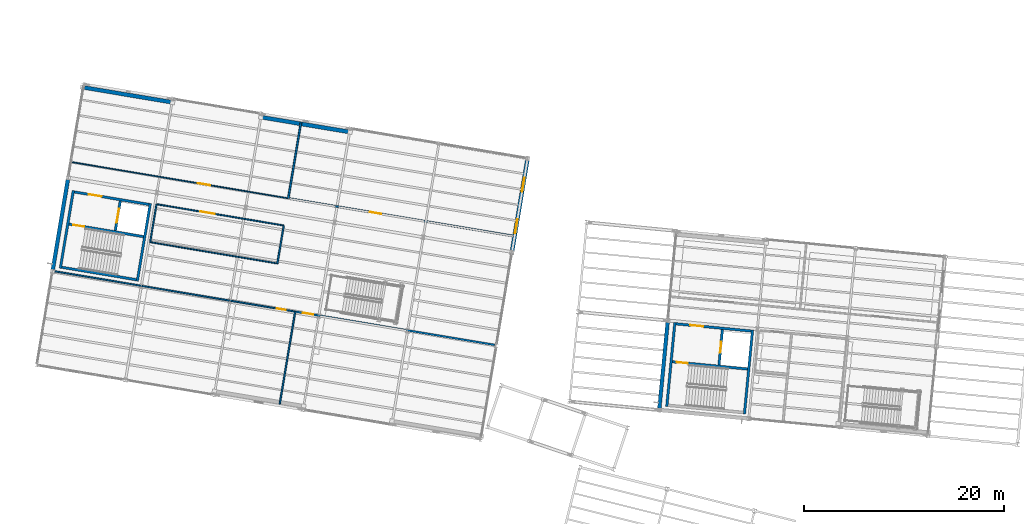
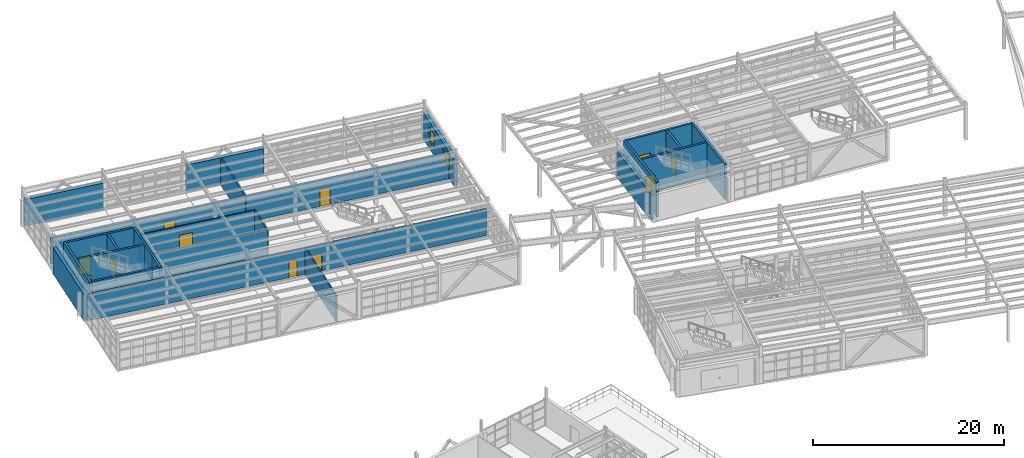
# One storey, part 92 of 109: 26 walls, 11 doors, 2 windows, 13 openings.
"""IFC4 building model written with IfcOpenShell, lengths in metres."""

from ifc_helpers import new_model, si_unit, direction, frame, frame_2d, origin, origin_with_axes, place, context, subcontext, project, spatial, rectangle, extrude, material, layer, layer_set, type_object, element, fill, save


model = new_model("IFC4")

# Units and contexts
model_context = context("Model", 3, precision=1e-05, world=origin(), true_north=direction((0.0, 1.0)))
body_context = subcontext(model_context, "Body", "Model", "MODEL_VIEW")
ifc_project = project(units=[si_unit("LENGTHUNIT", "METRE"), si_unit("AREAUNIT", "SQUARE_METRE"), si_unit("VOLUMEUNIT", "CUBIC_METRE"), si_unit("PLANEANGLEUNIT", "RADIAN"), si_unit("MASSUNIT", "GRAM", prefix="KILO")], contexts=[model_context])

# Site, building, storey
site_placement = place(None, origin())
site = spatial("IfcSite", under=ifc_project, at=site_placement, CompositionType="ELEMENT")
building_placement = place(site_placement, origin())
building = spatial("IfcBuilding", under=site, at=building_placement, Name="Vireo Bluff Cable Station", CompositionType="ELEMENT")
storey_placement = place(building_placement, frame((0.0, 0.0, 4.800048828125)))
storey = spatial("IfcBuildingStorey", under=building, at=storey_placement, Name="L01", CompositionType="ELEMENT", Elevation=4.800048828125)

# Walls
ifc_material_1 = material(Name="Precast concrete f'c 45 MPa", Category="concrete")
ifc_layer_1 = layer(ifc_material_1, 0.3701171875, Name="Precast concrete f'c 45 MPa")
ifc_layer_set_1 = layer_set([ifc_layer_1], Name="Precast concrete f'c 45 MPa")
wall_type_1 = type_object("IfcWallType", Name="EW-PRECAST-370", PredefinedType="SOLIDWALL", material=ifc_layer_set_1)
wall_1_placement = place(storey_placement, frame((67.755615234375, 67.18505859375, 0.0), z_axis=(0.0, 0.0, 1.0), x_axis=(0.095824470523, 0.995398247361, 0.0)))
element("IfcWall", 1, at=wall_1_placement, inside=storey, type_object=wall_type_1, Name="V3 L01 west exterior wall 54", PredefinedType="SOLIDWALL", context=body_context, shape_type="SweptSolid", body=[
    extrude(rectangle(XDim=8.634521484375, YDim=0.3701171875, at=frame_2d((4.3173828125, 0.0))), origin(), (0.0, 0.0, 1.0), 3.39990234375),
])
ifc_layer_2 = layer(ifc_material_1, 0.3798828125, Name="Precast concrete f'c 45 MPa")
ifc_layer_set_2 = layer_set([ifc_layer_2], Name="Precast concrete f'c 45 MPa")
wall_type_2 = type_object("IfcWallType", Name="EW-PRECAST-380", PredefinedType="SOLIDWALL", material=ifc_layer_set_2)
wall_2_placement = place(storey_placement, frame((7.097900390625, 81.04931640625, 0.0), z_axis=(0.0, 0.0, 1.0), x_axis=(0.165070646291, 0.986281745615, 0.0)))
element("IfcWall", 2, at=wall_2_placement, inside=storey, type_object=wall_type_2, Name="V4 L01 west exterior wall 75", PredefinedType="SOLIDWALL", context=body_context, shape_type="SweptSolid", body=[
    extrude(rectangle(XDim=9.1357421875, YDim=0.3798828125, at=frame_2d((4.56787109375, 0.0))), origin(), (0.0, 0.0, 1.0), 3.39990234375),
])
ifc_layer_3 = layer(ifc_material_1, 0.389892578125, Name="Precast concrete f'c 45 MPa")
ifc_layer_set_3 = layer_set([ifc_layer_3], Name="Precast concrete f'c 45 MPa")
wall_type_3 = type_object("IfcWallType", Name="EW-PRECAST-390", PredefinedType="SOLIDWALL", material=ifc_layer_set_3)
wall_3_placement = place(storey_placement, frame((10.250244140625, 99.256591796875, 0.0), z_axis=(0.0, 0.0, 1.0), x_axis=(0.986284554767, -0.165053860991, 0.0)))
element("IfcWall", 3, at=wall_3_placement, inside=storey, type_object=wall_type_3, Name="V4 L01 north exterior wall 76", PredefinedType="SOLIDWALL", context=body_context, shape_type="SweptSolid", body=[
    extrude(rectangle(XDim=8.765380859375, YDim=0.389892578125, at=frame_2d((4.3828125, 0.0))), origin(), (0.0, 0.0, 1.0), 3.39990234375),
])
ifc_layer_4 = layer(ifc_material_1, 0.39990234375, Name="Precast concrete f'c 45 MPa")
ifc_layer_set_4 = layer_set([ifc_layer_4], Name="Precast concrete f'c 45 MPa")
wall_type_4 = type_object("IfcWallType", Name="EW-PRECAST-400", PredefinedType="SOLIDWALL", material=ifc_layer_set_4)
wall_4_placement = place(storey_placement, frame((28.085205078125, 96.27197265625, 0.0), z_axis=(0.0, 0.0, 1.0), x_axis=(0.98628886626, -0.165028095461, 0.0)))
element("IfcWall", 4, at=wall_4_placement, inside=storey, type_object=wall_type_4, Name="V4 L01 north exterior wall 77", PredefinedType="SOLIDWALL", context=body_context, shape_type="SweptSolid", body=[
    extrude(rectangle(XDim=8.68408203125, YDim=0.39990234375, at=frame_2d((4.342041015625, 0.0))), origin(), (0.0, 0.0, 1.0), 3.39990234375),
])

# Wall, openings, windows
ifc_layer_5 = layer(ifc_material_1, 0.409912109375, Name="Precast concrete f'c 45 MPa")
ifc_layer_set_5 = layer_set([ifc_layer_5], Name="Precast concrete f'c 45 MPa")
wall_type_5 = type_object("IfcWallType", Name="EW-PRECAST-410", PredefinedType="SOLIDWALL", material=ifc_layer_set_5)
wall_5_placement = place(storey_placement, frame((54.556640625, 92.00244140625, 0.0), z_axis=(0.0, 0.0, 1.0), x_axis=(-0.165036673146, -0.986287430984, 0.0)))
wall_5 = element("IfcWall", 5, at=wall_5_placement, inside=storey, type_object=wall_type_5, Name="V4 L01 east exterior wall 78", PredefinedType="SOLIDWALL", context=body_context, shape_type="SweptSolid", body=[
    extrude(rectangle(XDim=9.18798828125, YDim=0.409912109375, at=frame_2d((4.593994140625, 0.0))), origin(), (0.0, 0.0, 1.0), 3.39990234375),
])
opening_1_placement = place(wall_5_placement, frame((1.78076171875, 0.0, 0.949951171875)))
opening_1 = element("IfcOpeningElement", 6, at=opening_1_placement, cuts=wall_5, Name="Opening W-08", PredefinedType="OPENING", context=body_context, shape_type="SweptSolid", body=[
    extrude(rectangle(XDim=1.39990234375, YDim=1.75, at=frame_2d((0.699951171875, 0.875))), frame((0.0, 0.21484375, 0.0), z_axis=(0.0, -1.0, 0.0), x_axis=(1.0, 0.0, 0.0)), (0.0, 0.0, 1.0), 0.429931640625),
])
opening_2_placement = place(wall_5_placement, frame((6.007080078125, 0.0, 0.949951171875)))
opening_2 = element("IfcOpeningElement", 7, at=opening_2_placement, cuts=wall_5, Name="Opening W-08", PredefinedType="OPENING", context=body_context, shape_type="SweptSolid", body=[
    extrude(rectangle(XDim=1.39990234375, YDim=1.75, at=frame_2d((0.699951171875, 0.875))), frame((0.0, 0.21484375, 0.0), z_axis=(0.0, -1.0, 0.0), x_axis=(1.0, 0.0, 0.0)), (0.0, 0.0, 1.0), 0.429931640625),
])
ifc_material_2 = material(Name="Laminated Low-E Insulated Glass", Category="glass")
window_type = type_object("IfcWindowType", Name="WIN-1400X1750", PartitioningType="SINGLE_PANEL", PredefinedType="WINDOW", material=ifc_material_2)
window_1_placement = place(opening_1_placement, origin_with_axes())
window_1 = element("IfcWindow", 8, at=window_1_placement, inside=storey, type_object=window_type, Name="V4 L01 east window 7", OverallHeight=1.75, OverallWidth=1.39990234375, PartitioningType="SINGLE_PANEL", PredefinedType="WINDOW", context=body_context, shape_type="SweptSolid", body=[
    extrude(rectangle(XDim=1.39990234375, YDim=1.75, at=frame_2d((0.699951171875, 0.875))), frame((0.0, 0.030029296875, 0.0), z_axis=(0.0, -1.0, 0.0), x_axis=(1.0, 0.0, 0.0)), (0.0, 0.0, 1.0), 0.06005859375),
])
fill(opening_1, window_1)
window_2_placement = place(opening_2_placement, origin_with_axes())
window_2 = element("IfcWindow", 9, at=window_2_placement, inside=storey, type_object=window_type, Name="V4 L01 east window 8", OverallHeight=1.75, OverallWidth=1.39990234375, PartitioningType="SINGLE_PANEL", PredefinedType="WINDOW", context=body_context, shape_type="SweptSolid", body=[
    extrude(rectangle(XDim=1.39990234375, YDim=1.75, at=frame_2d((0.699951171875, 0.875))), frame((0.0, 0.030029296875, 0.0), z_axis=(0.0, -1.0, 0.0), x_axis=(1.0, 0.0, 0.0)), (0.0, 0.0, 1.0), 0.06005859375),
])
fill(opening_2, window_2)

# Wall, opening, door
ifc_material_3 = material(Name="Fire-Rated Gypsum Board Partition")
ifc_layer_6 = layer(ifc_material_3, 0.110107421875, Name="Fire-Rated Gypsum Board Partition")
ifc_layer_set_6 = layer_set([ifc_layer_6], Name="Fire-Rated Gypsum Board Partition")
wall_type_6 = type_object("IfcWallType", Name="PT-1HR-110", PredefinedType="PARTITIONING", material=ifc_layer_set_6)
wall_6_placement = place(storey_placement, frame((30.59814453125, 88.1865234375, 0.0), z_axis=(0.0, 0.0, 1.0), x_axis=(-0.986287016704, 0.165039148936, 0.0)))
wall_6 = element("IfcWall", 10, at=wall_6_placement, inside=storey, type_object=wall_type_6, Name="V4 L01 Hydraulic Test Workshop S partition", PredefinedType="PARTITIONING", context=body_context, shape_type="SweptSolid", body=[
    extrude(rectangle(XDim=21.829833984375, YDim=0.110107421875, at=frame_2d((10.9150390625, 0.0))), origin(), (0.0, 0.0, 1.0), 3.3798828125),
])
opening_3_placement = place(wall_6_placement, frame((7.890380859375, 0.0, 0.0)))
opening_3 = element("IfcOpeningElement", 11, at=opening_3_placement, cuts=wall_6, Name="Opening D-0093", PredefinedType="OPENING", context=body_context, shape_type="SweptSolid", body=[
    extrude(rectangle(XDim=1.219970703125, YDim=2.199951171875, at=frame_2d((0.60986328125, 1.10009765625))), frame((0.0, 0.06494140625, 0.0), z_axis=(0.0, -1.0, 0.0), x_axis=(1.0, 0.0, 0.0)), (0.0, 0.0, 1.0), 0.130126953125),
])
ifc_material_4 = material(Name="Anodized Aluminium 6063-T6", Category="aluminium")
door_type_1 = type_object("IfcDoorType", Name="IDOOR60-1220X2200", OperationType="NOTDEFINED", PredefinedType="DOOR", material=ifc_material_4)
door_1_placement = place(opening_3_placement, origin_with_axes())
door_1 = element("IfcDoor", 12, at=door_1_placement, inside=storey, type_object=door_type_1, Name="V4 L01 Hydraulic Test Workshop door D-0093", OperationType="SINGLE_SWING_RIGHT", OverallHeight=2.199951171875, OverallWidth=1.219970703125, PredefinedType="DOOR", context=body_context, shape_type="SweptSolid", body=[
    extrude(rectangle(XDim=1.219970703125, YDim=2.199951171875, at=frame_2d((0.60986328125, 1.10009765625))), frame((0.0, 0.02490234375, 0.0), z_axis=(0.0, -1.0, 0.0), x_axis=(1.0, 0.0, 0.0)), (0.0, 0.0, 1.0), 0.050048828125),
])
fill(opening_3, door_1)

# Wall
ifc_layer_7 = layer(ifc_material_3, 0.1201171875, Name="Fire-Rated Gypsum Board Partition")
ifc_layer_set_7 = layer_set([ifc_layer_7], Name="Fire-Rated Gypsum Board Partition")
wall_type_7 = type_object("IfcWallType", Name="PT-1HR-120", PredefinedType="PARTITIONING", material=ifc_layer_set_7)
wall_7_placement = place(storey_placement, frame((29.558349609375, 81.668701171875, 0.0), z_axis=(0.0, 0.0, 1.0), x_axis=(-0.986285271059, 0.165049580706, 0.0)))
element("IfcWall", 13, at=wall_7_placement, inside=storey, type_object=wall_type_7, Name="V4 L01 Electrical Avionics Bench S partition", PredefinedType="PARTITIONING", context=body_context, shape_type="SweptSolid", body=[
    extrude(rectangle(XDim=12.900146484375, YDim=0.1201171875, at=frame_2d((6.4501953125, 0.0))), origin(), (0.0, 0.0, 1.0), 3.3798828125),
])

# Wall, opening, door
ifc_layer_8 = layer(ifc_material_3, 0.1298828125, Name="Fire-Rated Gypsum Board Partition")
ifc_layer_set_8 = layer_set([ifc_layer_8], Name="Fire-Rated Gypsum Board Partition")
wall_type_8 = type_object("IfcWallType", Name="PT-1HR-130", PredefinedType="PARTITIONING", material=ifc_layer_set_8)
wall_8_placement = place(storey_placement, frame((17.470703125, 87.594970703125, 0.0), z_axis=(0.0, 0.0, 1.0), x_axis=(0.986284755488, -0.165052661574, 0.0)))
wall_8 = element("IfcWall", 14, at=wall_8_placement, inside=storey, type_object=wall_type_8, Name="V4 L01 Electrical Avionics Bench N partition", PredefinedType="PARTITIONING", context=body_context, shape_type="SweptSolid", body=[
    extrude(rectangle(XDim=12.89990234375, YDim=0.1298828125, at=frame_2d((6.449951171875, 0.0))), origin(), (0.0, 0.0, 1.0), 3.3798828125),
])
opening_4_placement = place(wall_8_placement, frame((4.462890625, 0.0, 0.0)))
opening_4 = element("IfcOpeningElement", 15, at=opening_4_placement, cuts=wall_8, Name="Opening D-0094", PredefinedType="OPENING", context=body_context, shape_type="SweptSolid", body=[
    extrude(rectangle(XDim=1.43994140625, YDim=2.219970703125, at=frame_2d((0.719970703125, 1.10986328125))), frame((0.0, 0.074951171875, 0.0), z_axis=(0.0, -1.0, 0.0), x_axis=(1.0, 0.0, 0.0)), (0.0, 0.0, 1.0), 0.14990234375),
])
door_type_2 = type_object("IfcDoorType", Name="IDOOR60-1440X2220", OperationType="NOTDEFINED", PredefinedType="DOOR", material=ifc_material_4)
door_2_placement = place(opening_4_placement, origin_with_axes())
door_2 = element("IfcDoor", 16, at=door_2_placement, inside=storey, type_object=door_type_2, Name="V4 L01 Electrical Avionics Bench door D-0094", OperationType="SINGLE_SWING_LEFT", OverallHeight=2.219970703125, OverallWidth=1.43994140625, PredefinedType="DOOR", context=body_context, shape_type="SweptSolid", body=[
    extrude(rectangle(XDim=1.43994140625, YDim=2.219970703125, at=frame_2d((0.719970703125, 1.10986328125))), frame((0.0, 0.02490234375, 0.0), z_axis=(0.0, -1.0, 0.0), x_axis=(1.0, 0.0, 0.0)), (0.0, 0.0, 1.0), 0.050048828125),
])
fill(opening_4, door_2)

ifc_layer_9 = layer(ifc_material_3, 0.139892578125, Name="Fire-Rated Gypsum Board Partition")
ifc_layer_set_9 = layer_set([ifc_layer_9], Name="Fire-Rated Gypsum Board Partition")
wall_type_9 = type_object("IfcWallType", Name="PT-1HR-140", PredefinedType="PARTITIONING", material=ifc_layer_set_9)
wall_9_placement = place(storey_placement, frame((7.243896484375, 80.890869140625, 0.0), z_axis=(0.0, 0.0, 1.0), x_axis=(0.986286486683, -0.16504231635, 0.0)))
wall_9 = element("IfcWall", 17, at=wall_9_placement, inside=storey, type_object=wall_type_9, Name="V4 L01 Cabin Overhaul Bay N partition", PredefinedType="PARTITIONING", context=body_context, shape_type="SweptSolid", body=[
    extrude(rectangle(XDim=24.429931640625, YDim=0.139892578125, at=frame_2d((12.21484375, 0.0))), origin(), (0.0, 0.0, 1.0), 3.3798828125),
])
opening_5_placement = place(wall_9_placement, frame((22.583984375, 0.0, 0.0)))
opening_5 = element("IfcOpeningElement", 18, at=opening_5_placement, cuts=wall_9, Name="Opening D-0090", PredefinedType="OPENING", context=body_context, shape_type="SweptSolid", body=[
    extrude(rectangle(XDim=0.89990234375, YDim=2.10009765625, at=frame_2d((0.449951171875, 1.050048828125))), frame((0.0, 0.080078125, 0.0), z_axis=(0.0, -1.0, 0.0), x_axis=(1.0, 0.0, 0.0)), (0.0, 0.0, 1.0), 0.159912109375),
])
door_type_3 = type_object("IfcDoorType", Name="IDOOR60-900X2100", OperationType="NOTDEFINED", PredefinedType="DOOR", material=ifc_material_4)
door_3_placement = place(opening_5_placement, origin_with_axes())
door_3 = element("IfcDoor", 19, at=door_3_placement, inside=storey, type_object=door_type_3, Name="V4 L01 Cabin Overhaul Bay door D-0090", OperationType="SINGLE_SWING_LEFT", OverallHeight=2.10009765625, OverallWidth=0.89990234375, PredefinedType="DOOR", context=body_context, shape_type="SweptSolid", body=[
    extrude(rectangle(XDim=0.89990234375, YDim=2.10009765625, at=frame_2d((0.449951171875, 1.050048828125))), frame((0.0, 0.02490234375, 0.0), z_axis=(0.0, -1.0, 0.0), x_axis=(1.0, 0.0, 0.0)), (0.0, 0.0, 1.0), 0.050048828125),
])
fill(opening_5, door_3)

# Walls
wall_10_placement = place(storey_placement, frame((16.835205078125, 83.7978515625, 0.0), z_axis=(0.0, 0.0, 1.0), x_axis=(0.165067370347, 0.986282293893, 0.0)))
element("IfcWall", 20, at=wall_10_placement, inside=storey, type_object=wall_type_9, Name="V4 L01 Electrical Avionics Bench W partition", PredefinedType="PARTITIONING", context=body_context, shape_type="SweptSolid", body=[
    extrude(rectangle(XDim=3.849853515625, YDim=0.139892578125, at=frame_2d((1.9248046875, 0.0))), origin(), (0.0, 0.0, 1.0), 3.3798828125),
])
ifc_layer_10 = layer(ifc_material_3, 0.14990234375, Name="Fire-Rated Gypsum Board Partition")
ifc_layer_set_10 = layer_set([ifc_layer_10], Name="Fire-Rated Gypsum Board Partition")
wall_type_10 = type_object("IfcWallType", Name="PT-1HR-150", PredefinedType="PARTITIONING", material=ifc_layer_set_10)
wall_11_placement = place(storey_placement, frame((31.3388671875, 76.85888671875, 0.0), z_axis=(0.0, 0.0, 1.0), x_axis=(-0.165040495696, -0.986286791344, 0.0)))
element("IfcWall", 21, at=wall_11_placement, inside=storey, type_object=wall_type_10, Name="V4 L01 Cabin Overhaul Bay E partition", PredefinedType="PARTITIONING", context=body_context, shape_type="SweptSolid", body=[
    extrude(rectangle(XDim=9.380126953125, YDim=0.14990234375, at=frame_2d((4.68994140625, 0.0))), origin(), (0.0, 0.0, 1.0), 3.3798828125),
])
wall_12_placement = place(storey_placement, frame((30.193603515625, 85.4658203125, 0.0), z_axis=(0.0, 0.0, 1.0), x_axis=(-0.165005682962, -0.986292616108, 0.0)))
element("IfcWall", 22, at=wall_12_placement, inside=storey, type_object=wall_type_10, Name="V4 L01 Electrical Avionics Bench E partition", PredefinedType="PARTITIONING", context=body_context, shape_type="SweptSolid", body=[
    extrude(rectangle(XDim=3.849853515625, YDim=0.14990234375, at=frame_2d((1.9248046875, 0.0))), origin(), (0.0, 0.0, 1.0), 3.3798828125),
])

# Wall, opening, door
ifc_layer_11 = layer(ifc_material_3, 0.1650390625, Name="Fire-Rated Gypsum Board Partition")
ifc_layer_set_11 = layer_set([ifc_layer_11], Name="Fire-Rated Gypsum Board Partition")
wall_type_11 = type_object("IfcWallType", Name="PT-1HR-165", PredefinedType="PARTITIONING", material=ifc_layer_set_11)
wall_13_placement = place(storey_placement, frame((53.115234375, 84.41845703125, 0.0), z_axis=(0.0, 0.0, 1.0), x_axis=(-0.986285960274, 0.165045462123, 0.0)))
wall_13 = element("IfcWall", 23, at=wall_13_placement, inside=storey, type_object=wall_type_11, Name="V4 L01 Mountain-Sports Ski Tuning Shop S partition", PredefinedType="PARTITIONING", context=body_context, shape_type="SweptSolid", body=[
    extrude(rectangle(XDim=22.7802734375, YDim=0.1650390625, at=frame_2d((11.39013671875, 0.0))), origin(), (0.0, 0.0, 1.0), 3.3798828125),
])
opening_6_placement = place(wall_13_placement, frame((13.37060546875, 0.0, 0.0)))
opening_6 = element("IfcOpeningElement", 24, at=opening_6_placement, cuts=wall_13, Name="Opening D-0091", PredefinedType="OPENING", context=body_context, shape_type="SweptSolid", body=[
    extrude(rectangle(XDim=1.1201171875, YDim=2.179931640625, at=frame_2d((0.56005859375, 1.08984375))), frame((0.0, 0.092529296875, 0.0), z_axis=(0.0, -1.0, 0.0), x_axis=(1.0, 0.0, 0.0)), (0.0, 0.0, 1.0), 0.18505859375),
])
door_type_4 = type_object("IfcDoorType", Name="IDOOR60-1120X2180", OperationType="NOTDEFINED", PredefinedType="DOOR", material=ifc_material_4)
door_4_placement = place(opening_6_placement, origin_with_axes())
door_4 = element("IfcDoor", 25, at=door_4_placement, inside=storey, type_object=door_type_4, Name="V4 L01 Mountain-Sports Ski Tuning Shop door D-0091", OperationType="SINGLE_SWING_RIGHT", OverallHeight=2.179931640625, OverallWidth=1.1201171875, PredefinedType="DOOR", context=body_context, shape_type="SweptSolid", body=[
    extrude(rectangle(XDim=1.1201171875, YDim=2.179931640625, at=frame_2d((0.56005859375, 1.08984375))), frame((0.0, 0.02490234375, 0.0), z_axis=(0.0, -1.0, 0.0), x_axis=(1.0, 0.0, 0.0)), (0.0, 0.0, 1.0), 0.050048828125),
])
fill(opening_6, door_4)

# Wall
ifc_layer_12 = layer(ifc_material_3, 0.175048828125, Name="Fire-Rated Gypsum Board Partition")
ifc_layer_set_12 = layer_set([ifc_layer_12], Name="Fire-Rated Gypsum Board Partition")
wall_type_12 = type_object("IfcWallType", Name="PT-1HR-175", PredefinedType="PARTITIONING", material=ifc_layer_set_12)
wall_14_placement = place(storey_placement, frame((30.6474609375, 88.17822265625, 0.0), z_axis=(0.0, 0.0, 1.0), x_axis=(0.165054518639, 0.98628444471, 0.0)))
element("IfcWall", 26, at=wall_14_placement, inside=storey, type_object=wall_type_12, Name="V4 L01 Mountain-Sports Ski Tuning Shop W partition", PredefinedType="PARTITIONING", context=body_context, shape_type="SweptSolid", body=[
    extrude(rectangle(XDim=7.72998046875, YDim=0.175048828125, at=frame_2d((3.864990234375, 0.0))), origin(), (0.0, 0.0, 1.0), 3.3798828125),
])

# Wall, opening, door
ifc_layer_13 = layer(ifc_material_3, 0.18994140625, Name="Fire-Rated Gypsum Board Partition")
ifc_layer_set_13 = layer_set([ifc_layer_13], Name="Fire-Rated Gypsum Board Partition")
wall_type_13 = type_object("IfcWallType", Name="PT-1HR-190", PredefinedType="PARTITIONING", material=ifc_layer_set_13)
wall_15_placement = place(storey_placement, frame((31.38818359375, 76.8505859375, 0.0), z_axis=(0.0, 0.0, 1.0), x_axis=(0.986286465811, -0.16504244108, 0.0)))
wall_15 = element("IfcWall", 27, at=wall_15_placement, inside=storey, type_object=wall_type_13, Name="V4 L01 Grip and Bogie Maintenance Workshop N partition", PredefinedType="PARTITIONING", context=body_context, shape_type="SweptSolid", body=[
    extrude(rectangle(XDim=20.18017578125, YDim=0.18994140625, at=frame_2d((10.090087890625, 0.0))), origin(), (0.0, 0.0, 1.0), 3.3798828125),
])
opening_7_placement = place(wall_15_placement, frame((0.716064453125, 0.0, 0.0)))
opening_7 = element("IfcOpeningElement", 28, at=opening_7_placement, cuts=wall_15, Name="Opening D-0092", PredefinedType="OPENING", context=body_context, shape_type="SweptSolid", body=[
    extrude(rectangle(XDim=1.050048828125, YDim=2.199951171875, at=frame_2d((0.52490234375, 1.10009765625))), frame((0.0, 0.10498046875, 0.0), z_axis=(0.0, -1.0, 0.0), x_axis=(1.0, 0.0, 0.0)), (0.0, 0.0, 1.0), 0.2099609375),
])
door_type_5 = type_object("IfcDoorType", Name="IDOOR60-1050X2200", OperationType="NOTDEFINED", PredefinedType="DOOR", material=ifc_material_4)
door_5_placement = place(opening_7_placement, origin_with_axes())
door_5 = element("IfcDoor", 29, at=door_5_placement, inside=storey, type_object=door_type_5, Name="V4 L01 Grip and Bogie Maintenance Workshop door D-0092", OperationType="SINGLE_SWING_LEFT", OverallHeight=2.199951171875, OverallWidth=1.050048828125, PredefinedType="DOOR", context=body_context, shape_type="SweptSolid", body=[
    extrude(rectangle(XDim=1.050048828125, YDim=2.199951171875, at=frame_2d((0.52490234375, 1.10009765625))), frame((0.0, 0.02490234375, 0.0), z_axis=(0.0, -1.0, 0.0), x_axis=(1.0, 0.0, 0.0)), (0.0, 0.0, 1.0), 0.050048828125),
])
fill(opening_7, door_5)

# Walls
ifc_material_5 = material(Name="Concrete f'c 40 MPa", Category="concrete")
ifc_layer_14 = layer(ifc_material_5, 0.25, Name="Concrete f'c 40 MPa")
ifc_layer_set_14 = layer_set([ifc_layer_14], Name="Concrete f'c 40 MPa")
wall_type_14 = type_object("IfcWallType", Name="SW-CORE-250", PredefinedType="SHEAR", material=ifc_layer_set_14)
for number, where, z_axis, x_axis, name in (
    (30, (68.501953125, 67.372314453125, 0.0), (0.0, 0.0, 1.0), (0.095832083117, 0.995397514486, 0.0), "CORE-1 L01 core W shear wall"),
    (31, (76.26611328125, 66.624755859375, 0.0), (0.0, 0.0, 1.0), (0.095832083117, 0.995397514486, 0.0), "CORE-1 L01 core E shear wall"),
):
    element("IfcWall", number, at=place(storey_placement, frame(where, z_axis=z_axis, x_axis=x_axis)), inside=storey, type_object=wall_type_14, Name=name, PredefinedType="SHEAR", context=body_context, shape_type="SweptSolid", body=[
        extrude(rectangle(XDim=8.43505859375, YDim=0.25, at=frame_2d((4.217529296875, 0.0))), origin(), (0.0, 0.0, 1.0), 4.5400390625),
    ])

# Wall, opening, door
wall_16_placement = place(storey_placement, frame((76.572509765625, 71.111083984375, 0.0), z_axis=(0.0, 0.0, 1.0), x_axis=(-0.995396401267, 0.095843645303, 0.0)))
wall_16 = element("IfcWall", 32, at=wall_16_placement, inside=storey, type_object=wall_type_14, Name="CORE-1 L01 stair shaft north shear wall", PredefinedType="SHEAR", context=body_context, shape_type="SweptSolid", body=[
    extrude(rectangle(XDim=7.550048828125, YDim=0.25, at=frame_2d((3.77490234375, 0.0))), origin(), (0.0, 0.0, 1.0), 4.5400390625),
])
opening_8_placement = place(wall_16_placement, frame((6.0, 0.0, 0.0)))
opening_8 = element("IfcOpeningElement", 33, at=opening_8_placement, cuts=wall_16, Name="Opening SD-003", PredefinedType="OPENING", context=body_context, shape_type="SweptSolid", body=[
    extrude(rectangle(XDim=1.10009765625, YDim=2.14990234375, at=frame_2d((0.550048828125, 1.074951171875))), frame((0.0, 0.135009765625, 0.0), z_axis=(0.0, -1.0, 0.0), x_axis=(1.0, 0.0, 0.0)), (0.0, 0.0, 1.0), 0.27001953125),
])
ifc_material_6 = material(Name="Stainless Steel 316", Category="steel")
door_type_6 = type_object("IfcDoorType", Name="IDOOR90-1100X2150", OperationType="NOTDEFINED", PredefinedType="DOOR", material=ifc_material_6)
door_6_placement = place(opening_8_placement, origin_with_axes())
door_6 = element("IfcDoor", 34, at=door_6_placement, inside=storey, type_object=door_type_6, Name="CORE-1 L01 stair fire door SD-003", OperationType="SINGLE_SWING_RIGHT", OverallHeight=2.14990234375, OverallWidth=1.10009765625, PredefinedType="DOOR", context=body_context, shape_type="SweptSolid", body=[
    extrude(rectangle(XDim=1.10009765625, YDim=2.14990234375, at=frame_2d((0.550048828125, 1.074951171875))), frame((0.0, 0.02490234375, 0.0), z_axis=(0.0, -1.0, 0.0), x_axis=(1.0, 0.0, 0.0)), (0.0, 0.0, 1.0), 0.050048828125),
])
fill(opening_8, door_6)

wall_17_placement = place(storey_placement, frame((76.93798828125, 74.908447265625, 0.0), z_axis=(0.0, 0.0, 1.0), x_axis=(-0.995396104215, 0.095846730326, 0.0)))
wall_17 = element("IfcWall", 35, at=wall_17_placement, inside=storey, type_object=wall_type_14, Name="CORE-1 L01 core north shear wall", PredefinedType="SHEAR", context=body_context, shape_type="SweptSolid", body=[
    extrude(rectangle(XDim=7.5498046875, YDim=0.25, at=frame_2d((3.77490234375, 0.0))), origin(), (0.0, 0.0, 1.0), 4.5400390625),
])
opening_9_placement = place(wall_17_placement, frame((4.800048828125, 0.0, 0.0)))
opening_9 = element("IfcOpeningElement", 36, at=opening_9_placement, cuts=wall_17, Name="Opening FD-004", PredefinedType="OPENING", context=body_context, shape_type="SweptSolid", body=[
    extrude(rectangle(XDim=1.300048828125, YDim=2.14990234375, at=frame_2d((0.64990234375, 1.074951171875))), frame((0.0, 0.135009765625, 0.0), z_axis=(0.0, -1.0, 0.0), x_axis=(1.0, 0.0, 0.0)), (0.0, 0.0, 1.0), 0.27001953125),
])
door_type_7 = type_object("IfcDoorType", Name="IDOOR90-1300X2150", OperationType="NOTDEFINED", PredefinedType="DOOR", material=ifc_material_6)
door_7_placement = place(opening_9_placement, origin_with_axes())
door_7 = element("IfcDoor", 37, at=door_7_placement, inside=storey, type_object=door_type_7, Name="CORE-1 L01 firefighting lobby door FD-004", OperationType="SINGLE_SWING_LEFT", OverallHeight=2.14990234375, OverallWidth=1.300048828125, PredefinedType="DOOR", context=body_context, shape_type="SweptSolid", body=[
    extrude(rectangle(XDim=1.300048828125, YDim=2.14990234375, at=frame_2d((0.64990234375, 1.074951171875))), frame((0.0, 0.02490234375, 0.0), z_axis=(0.0, -1.0, 0.0), x_axis=(1.0, 0.0, 0.0)), (0.0, 0.0, 1.0), 0.050048828125),
])
fill(opening_9, door_7)

wall_18_placement = place(storey_placement, frame((73.72265625, 71.510986328125, 0.0), z_axis=(0.0, 0.0, 1.0), x_axis=(0.095807665029, 0.99539986504, 0.0)))
wall_18 = element("IfcWall", 38, at=wall_18_placement, inside=storey, type_object=wall_type_14, Name="CORE-1 L01 lift shaft front wall", PredefinedType="SHEAR", context=body_context, shape_type="SweptSolid", body=[
    extrude(rectangle(XDim=3.56494140625, YDim=0.25, at=frame_2d((1.782470703125, 0.0))), origin(), (0.0, 0.0, 1.0), 4.5400390625),
])
opening_10_placement = place(wall_18_placement, frame((1.232421875, 0.0, 0.0)))
opening_10 = element("IfcOpeningElement", 39, at=opening_10_placement, cuts=wall_18, Name="Opening LD-002", PredefinedType="OPENING", context=body_context, shape_type="SweptSolid", body=[
    extrude(rectangle(XDim=1.10009765625, YDim=2.14990234375, at=frame_2d((0.550048828125, 1.074951171875))), frame((0.0, 0.135009765625, 0.0), z_axis=(0.0, -1.0, 0.0), x_axis=(1.0, 0.0, 0.0)), (0.0, 0.0, 1.0), 0.27001953125),
])
door_type_8 = type_object("IfcDoorType", Name="LIFTDOOR-1100X2150", OperationType="DOUBLE_DOOR_SLIDING", PredefinedType="DOOR", material=ifc_material_6)
door_8_placement = place(opening_10_placement, origin_with_axes())
door_8 = element("IfcDoor", 40, at=door_8_placement, inside=storey, type_object=door_type_8, Name="CORE-1 L01 lift sliding landing door LD-002", OperationType="DOUBLE_DOOR_SLIDING", OverallHeight=2.14990234375, OverallWidth=1.10009765625, PredefinedType="DOOR", context=body_context, shape_type="SweptSolid", body=[
    extrude(rectangle(XDim=1.10009765625, YDim=2.14990234375, at=frame_2d((0.550048828125, 1.074951171875))), frame((0.0, 0.02490234375, 0.0), z_axis=(0.0, -1.0, 0.0), x_axis=(1.0, 0.0, 0.0)), (0.0, 0.0, 1.0), 0.050048828125),
])
fill(opening_10, door_8)

# Walls
for number, where, z_axis, x_axis, name in (
    (41, (7.855712890625, 81.18408203125, 0.0), (0.0, 0.0, 1.0), (0.165031598329, 0.986288280146, 0.0), "CORE-3 L01 core W shear wall"),
    (42, (15.548583984375, 79.896728515625, 0.0), (0.0, 0.0, 1.0), (0.16506171759, 0.98628323994, 0.0), "CORE-3 L01 core E shear wall"),
):
    element("IfcWall", number, at=place(storey_placement, frame(where, z_axis=z_axis, x_axis=x_axis)), inside=storey, type_object=wall_type_14, Name=name, PredefinedType="SHEAR", context=body_context, shape_type="SweptSolid", body=[
        extrude(rectangle(XDim=7.885009765625, YDim=0.25, at=frame_2d((3.9423828125, 0.0))), origin(), (0.0, 0.0, 1.0), 4.5400390625),
    ])
wall_19_placement = place(storey_placement, frame((7.99951171875, 81.28662109375, 0.0), z_axis=(0.0, 0.0, 1.0), x_axis=(0.986286216974, -0.165043928115, 0.0)))
element("IfcWall", 43, at=wall_19_placement, inside=storey, type_object=wall_type_14, Name="CORE-3 L01 stair shaft south shear wall", PredefinedType="SHEAR", context=body_context, shape_type="SweptSolid", body=[
    extrude(rectangle(XDim=7.550048828125, YDim=0.25, at=frame_2d((3.77490234375, 0.0))), origin(), (0.0, 0.0, 1.0), 4.5400390625),
])

# Wall, opening, door
wall_20_placement = place(storey_placement, frame((16.167236328125, 84.3505859375, 0.0), z_axis=(0.0, 0.0, 1.0), x_axis=(-0.986286216974, 0.165043928115, 0.0)))
wall_20 = element("IfcWall", 44, at=wall_20_placement, inside=storey, type_object=wall_type_14, Name="CORE-3 L01 stair shaft north shear wall", PredefinedType="SHEAR", context=body_context, shape_type="SweptSolid", body=[
    extrude(rectangle(XDim=7.550048828125, YDim=0.25, at=frame_2d((3.77490234375, 0.0))), origin(), (0.0, 0.0, 1.0), 4.5400390625),
])
opening_11_placement = place(wall_20_placement, frame((6.0, 0.0, 0.0)))
opening_11 = element("IfcOpeningElement", 45, at=opening_11_placement, cuts=wall_20, Name="Opening SD-019", PredefinedType="OPENING", context=body_context, shape_type="SweptSolid", body=[
    extrude(rectangle(XDim=1.10009765625, YDim=2.14990234375, at=frame_2d((0.550048828125, 1.074951171875))), frame((0.0, 0.135009765625, 0.0), z_axis=(0.0, -1.0, 0.0), x_axis=(1.0, 0.0, 0.0)), (0.0, 0.0, 1.0), 0.27001953125),
])
door_9_placement = place(opening_11_placement, origin_with_axes())
door_9 = element("IfcDoor", 46, at=door_9_placement, inside=storey, type_object=door_type_6, Name="CORE-3 L01 stair fire door SD-019", OperationType="SINGLE_SWING_RIGHT", OverallHeight=2.14990234375, OverallWidth=1.10009765625, PredefinedType="DOOR", context=body_context, shape_type="SweptSolid", body=[
    extrude(rectangle(XDim=1.10009765625, YDim=2.14990234375, at=frame_2d((0.550048828125, 1.074951171875))), frame((0.0, 0.02490234375, 0.0), z_axis=(0.0, -1.0, 0.0), x_axis=(1.0, 0.0, 0.0)), (0.0, 0.0, 1.0), 0.050048828125),
])
fill(opening_11, door_9)

wall_21_placement = place(storey_placement, frame((16.7060546875, 87.57080078125, 0.0), z_axis=(0.0, 0.0, 1.0), x_axis=(-0.98628533611, 0.165049191984, 0.0)))
wall_21 = element("IfcWall", 47, at=wall_21_placement, inside=storey, type_object=wall_type_14, Name="CORE-3 L01 core north shear wall", PredefinedType="SHEAR", context=body_context, shape_type="SweptSolid", body=[
    extrude(rectangle(XDim=7.5498046875, YDim=0.25, at=frame_2d((3.77490234375, 0.0))), origin(), (0.0, 0.0, 1.0), 4.5400390625),
])
opening_12_placement = place(wall_21_placement, frame((4.800048828125, 0.0, 0.0)))
opening_12 = element("IfcOpeningElement", 48, at=opening_12_placement, cuts=wall_21, Name="Opening FD-020", PredefinedType="OPENING", context=body_context, shape_type="SweptSolid", body=[
    extrude(rectangle(XDim=1.300048828125, YDim=2.14990234375, at=frame_2d((0.64990234375, 1.074951171875))), frame((0.0, 0.135009765625, 0.0), z_axis=(0.0, -1.0, 0.0), x_axis=(1.0, 0.0, 0.0)), (0.0, 0.0, 1.0), 0.27001953125),
])
door_10_placement = place(opening_12_placement, origin_with_axes())
door_10 = element("IfcDoor", 49, at=door_10_placement, inside=storey, type_object=door_type_7, Name="CORE-3 L01 firefighting lobby door FD-020", OperationType="SINGLE_SWING_LEFT", OverallHeight=2.14990234375, OverallWidth=1.300048828125, PredefinedType="DOOR", context=body_context, shape_type="SweptSolid", body=[
    extrude(rectangle(XDim=1.300048828125, YDim=2.14990234375, at=frame_2d((0.64990234375, 1.074951171875))), frame((0.0, 0.02490234375, 0.0), z_axis=(0.0, -1.0, 0.0), x_axis=(1.0, 0.0, 0.0)), (0.0, 0.0, 1.0), 0.050048828125),
])
fill(opening_12, door_10)

wall_22_placement = place(storey_placement, frame((13.352294921875, 84.948486328125, 0.0), z_axis=(0.0, 0.0, 1.0), x_axis=(0.165029254052, 0.986288672401, 0.0)))
wall_22 = element("IfcWall", 50, at=wall_22_placement, inside=storey, type_object=wall_type_14, Name="CORE-3 L01 lift shaft front wall", PredefinedType="SHEAR", context=body_context, shape_type="SweptSolid", body=[
    extrude(rectangle(XDim=3.014892578125, YDim=0.25, at=frame_2d((1.50732421875, 0.0))), origin(), (0.0, 0.0, 1.0), 4.5400390625),
])
opening_13_placement = place(wall_22_placement, frame((0.8076171875, 0.0, 0.0)))
opening_13 = element("IfcOpeningElement", 51, at=opening_13_placement, cuts=wall_22, Name="Opening LD-010", PredefinedType="OPENING", context=body_context, shape_type="SweptSolid", body=[
    extrude(rectangle(XDim=1.39990234375, YDim=2.14990234375, at=frame_2d((0.699951171875, 1.074951171875))), frame((0.0, 0.135009765625, 0.0), z_axis=(0.0, -1.0, 0.0), x_axis=(1.0, 0.0, 0.0)), (0.0, 0.0, 1.0), 0.27001953125),
])
door_type_9 = type_object("IfcDoorType", Name="LIFTDOOR-1400X2200", OperationType="DOUBLE_DOOR_SLIDING", PredefinedType="DOOR", material=ifc_material_6)
door_11_placement = place(opening_13_placement, origin_with_axes())
door_11 = element("IfcDoor", 52, at=door_11_placement, inside=storey, type_object=door_type_9, Name="CORE-3 L01 lift sliding landing door LD-010", OperationType="DOUBLE_DOOR_SLIDING", OverallHeight=2.14990234375, OverallWidth=1.39990234375, PredefinedType="DOOR", context=body_context, shape_type="SweptSolid", body=[
    extrude(rectangle(XDim=1.39990234375, YDim=2.14990234375, at=frame_2d((0.699951171875, 1.074951171875))), frame((0.0, 0.02490234375, 0.0), z_axis=(0.0, -1.0, 0.0), x_axis=(1.0, 0.0, 0.0)), (0.0, 0.0, 1.0), 0.050048828125),
])
fill(opening_13, door_11)

save(model, "model.ifc")
